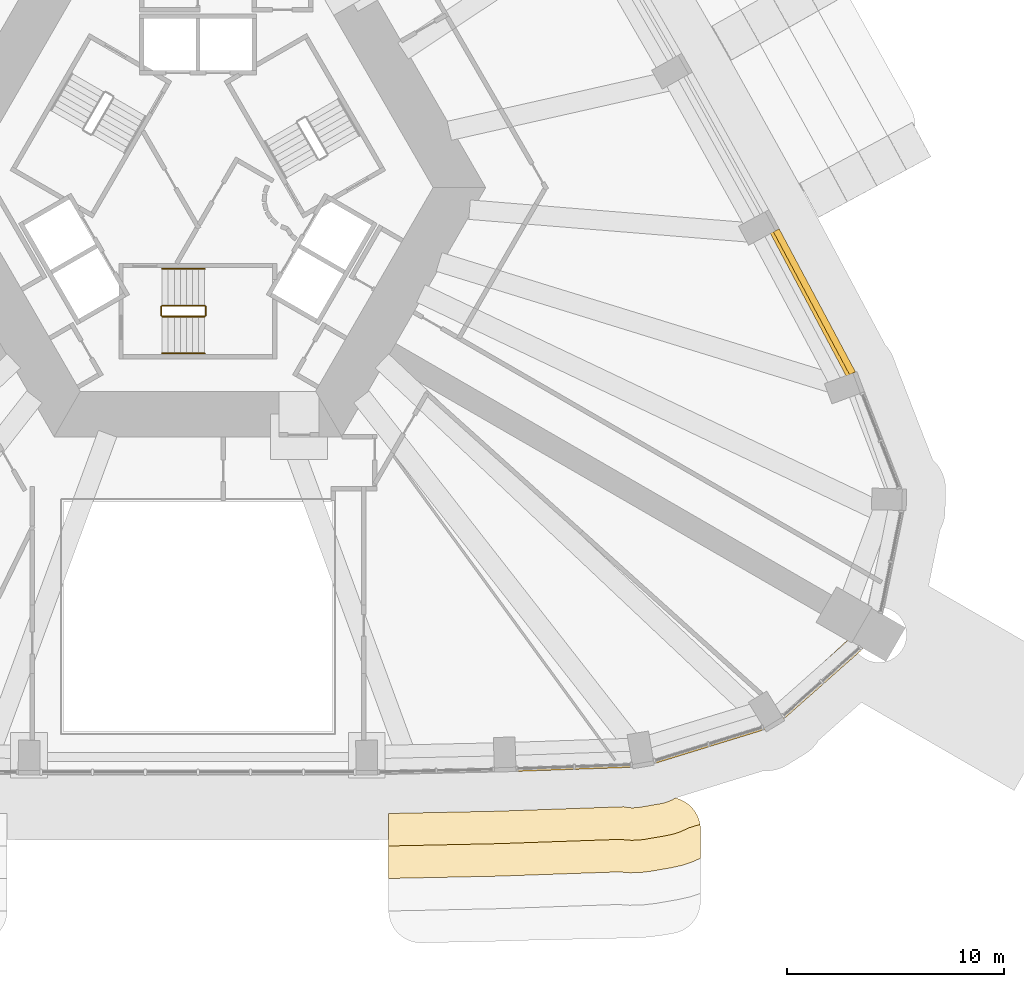
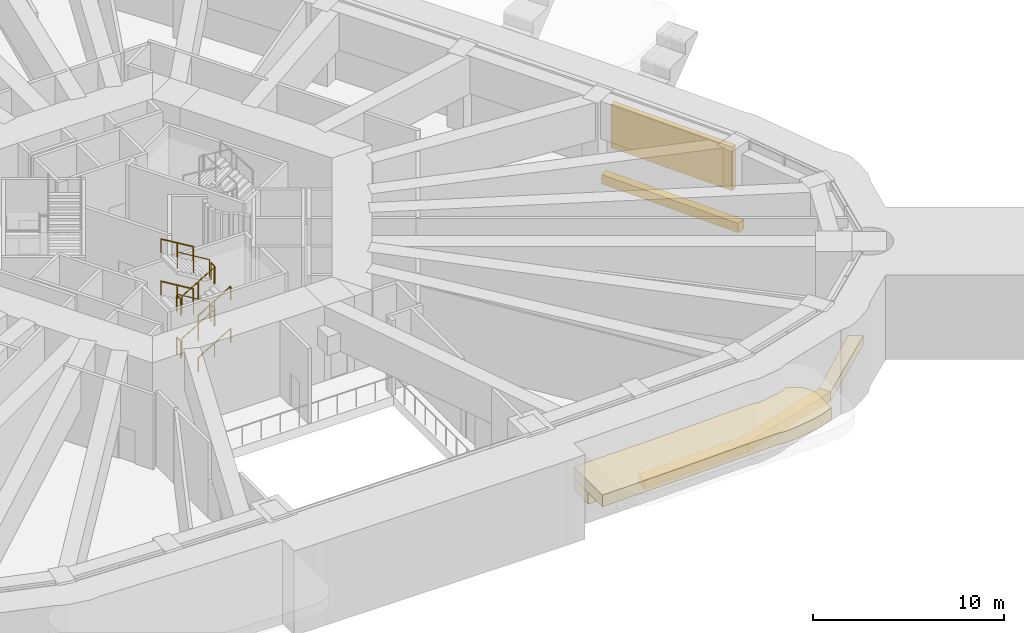
# One storey, part 16 of 21: 12 railings, 6 coverings, 1 shading device.
"""IFC4 building model written with IfcOpenShell, lengths in metres."""

from ifc_helpers import new_model, si_unit, direction, frame, origin, origin_2d, place, context, subcontext, project, spatial, polyline, rectangle, circle, outline, extrude, material, layer, layer_set, type_object, element, save


model = new_model("IFC4")

# Units and contexts
model_context = context("Model", 3, precision=1e-05, world=origin(), true_north=direction((0.0, 1.0)))
body_context = subcontext(model_context, "Body", "Model", "MODEL_VIEW")
ifc_project = project(units=[si_unit("LENGTHUNIT", "METRE"), si_unit("AREAUNIT", "SQUARE_METRE"), si_unit("VOLUMEUNIT", "CUBIC_METRE"), si_unit("PLANEANGLEUNIT", "RADIAN"), si_unit("MASSUNIT", "GRAM", prefix="KILO")], contexts=[model_context])

# Site, building, storey
site_placement = place(None, origin())
site = spatial("IfcSite", under=ifc_project, at=site_placement, CompositionType="ELEMENT")
building_placement = place(site_placement, origin())
building = spatial("IfcBuilding", under=site, at=building_placement, Name="Entoto Arch Interchange Tower", CompositionType="ELEMENT")
storey_placement = place(building_placement, frame((0.0, 0.0, 236.0)))
storey = spatial("IfcBuildingStorey", under=building, at=storey_placement, Name="L53", CompositionType="ELEMENT", Elevation=236.0)

# Shading device
ifc_material_1 = material(Name="Aluminium, anodised", Category="aluminium")
ifc_layer = layer(ifc_material_1, 0.300048828125)
ifc_layer_set = layer_set([ifc_layer], Name="Aluminium, anodised")
shading_device_type = type_object("IfcShadingDeviceType", Name="PLANT LOUVRE ALUMINIUM", PredefinedType="JALOUSIE", material=ifc_layer_set)
shading_device_placement = place(storey_placement, frame((28.449951171875, -2.77197265625, 1.2001953125), z_axis=(0.0, 0.0, 1.0), x_axis=(-0.470519135201, 0.882389791084, 0.0)))
element("IfcShadingDevice", 1, at=shading_device_placement, inside=storey, type_object=shading_device_type, Name="Plant louvre NE-01 L53", PredefinedType="JALOUSIE", context=body_context, shape_type="SweptSolid", body=[
    extrude(rectangle(XDim=7.470947265625, YDim=0.300048828125, at=origin_2d()), origin(), (0.0, 0.0, 1.0), 2.800048828125),
])

# Coverings
ifc_material_2 = material(Name="Board-marked precast concrete C50/60", Category="concrete")
covering_type_1 = type_object("IfcCoveringType", Name="PRECAST FRAME COURSE", PredefinedType="CLADDING", material=ifc_material_2)
covering_1_placement = place(storey_placement, frame((0.0, 0.0, 2.550048828125)))
element("IfcCovering", 2, at=covering_1_placement, inside=storey, type_object=covering_type_1, Name="Cantilever cornice L53 3", PredefinedType="CLADDING", context=body_context, shape_type="SweptSolid", body=[
    extrude(outline(polyline([(22.318115234375, -25.77001953125), (22.444091796875, -25.8359375), (22.56396484375, -25.9130859375), (22.676025390625, -26.0009765625), (22.779052734375, -26.10009765625), (22.8720703125, -26.20703125), (22.9541015625, -26.323974609375), (23.02490234375, -26.447021484375), (23.083984375, -26.576904296875), (23.131103515625, -26.7109375), (23.1640625, -26.85009765625), (23.18505859375, -26.990966796875), (23.19091796875, -27.133056640625), (23.19091796875, -28.455078125), (22.781982421875, -28.635009765625), (22.3349609375, -28.781982421875), (21.875, -28.885009765625), (20.888916015625, -29.053955078125), (20.422119140625, -29.111083984375), (19.950927734375, -29.1220703125), (19.48095703125, -29.0869140625), (19.450927734375, -29.0810546875), (14.860107421875, -29.242919921875), (14.847900390625, -29.243896484375), (13.84912109375, -29.278076171875), (13.787109375, -29.280029296875), (8.800048828125, -29.385009765625), (8.800048828125, -26.422119140625), (8.800048828125, -26.385009765625), (13.722900390625, -26.281005859375), (13.7470703125, -26.280029296875), (14.74609375, -26.24609375), (14.758056640625, -26.2451171875), (19.654052734375, -26.072021484375), (19.678955078125, -26.0791015625), (19.85302734375, -26.110107421875), (20.029052734375, -26.123046875), (20.2060546875, -26.118896484375), (20.381103515625, -26.097900390625), (21.366943359375, -25.927978515625), (21.5390625, -25.889892578125), (21.70703125, -25.8349609375), (21.868896484375, -25.762939453125), (22.02197265625, -25.677001953125), (22.028076171875, -25.673095703125), (22.06298828125, -25.662109375), (22.033935546875, -25.672119140625), (22.049072265625, -25.676025390625), (22.18603515625, -25.717041015625), (22.318115234375, -25.77001953125)])), origin(), (0.0, 0.0, 1.0), 0.75),
])
covering_2_placement = place(storey_placement, frame((0.0, 0.0, 1.800048828125)))
element("IfcCovering", 3, at=covering_2_placement, inside=storey, type_object=covering_type_1, Name="Cantilever cornice L53 4", PredefinedType="CLADDING", context=body_context, shape_type="SweptSolid", body=[
    extrude(outline(polyline([(22.318115234375, -25.77001953125), (22.444091796875, -25.8359375), (22.56396484375, -25.9130859375), (22.676025390625, -26.0009765625), (22.779052734375, -26.10009765625), (22.8720703125, -26.20703125), (22.9541015625, -26.323974609375), (23.02490234375, -26.447021484375), (23.083984375, -26.576904296875), (23.131103515625, -26.7109375), (23.1640625, -26.85009765625), (23.169921875, -26.889892578125), (22.618896484375, -27.06005859375), (22.541015625, -27.10400390625), (22.2451171875, -27.235107421875), (21.93701171875, -27.3359375), (21.62109375, -27.406982421875), (20.635009765625, -27.575927734375), (20.31396484375, -27.614990234375), (19.989990234375, -27.623046875), (19.6669921875, -27.597900390625), (19.5458984375, -27.576904296875), (14.80908203125, -27.743896484375), (14.797119140625, -27.7451171875), (13.798095703125, -27.779052734375), (13.7548828125, -27.780029296875), (8.800048828125, -27.885009765625), (8.800048828125, -26.422119140625), (8.800048828125, -26.385009765625), (13.722900390625, -26.281005859375), (13.7470703125, -26.280029296875), (14.74609375, -26.24609375), (14.758056640625, -26.2451171875), (19.654052734375, -26.072021484375), (19.678955078125, -26.0791015625), (19.85302734375, -26.110107421875), (20.029052734375, -26.123046875), (20.2060546875, -26.118896484375), (20.381103515625, -26.097900390625), (21.366943359375, -25.927978515625), (21.5390625, -25.889892578125), (21.70703125, -25.8349609375), (21.868896484375, -25.762939453125), (22.02197265625, -25.677001953125), (22.028076171875, -25.673095703125), (22.06298828125, -25.662109375), (22.033935546875, -25.672119140625), (22.049072265625, -25.676025390625), (22.18603515625, -25.717041015625), (22.318115234375, -25.77001953125)])), origin(), (0.0, 0.0, 1.0), 0.75),
])
covering_type_2 = type_object("IfcCoveringType", Name="PRECAST LEDGE COURSE", PredefinedType="CLADDING", material=ifc_material_2)
covering_3_placement = place(storey_placement, frame((0.0, 0.0, -1.199951171875)))
element("IfcCovering", 4, at=covering_3_placement, inside=storey, type_object=covering_type_2, Name="Precast course S-05 L53", PredefinedType="CLADDING", context=body_context, shape_type="SweptSolid", body=[
    extrude(outline(polyline([(20.569091796875, -23.594970703125), (20.569091796875, -24.239013671875), (14.18505859375, -24.464111328125), (14.18505859375, -23.830078125), (20.569091796875, -23.594970703125)])), origin(), (0.0, 0.0, 1.0), 0.599853515625),
])
covering_4_placement = place(storey_placement, frame((0.0, 0.0, -1.199951171875)))
element("IfcCovering", 5, at=covering_4_placement, inside=storey, type_object=covering_type_2, Name="Precast course SE-01 L53", PredefinedType="CLADDING", context=body_context, shape_type="SweptSolid", body=[
    extrude(outline(polyline([(26.299072265625, -21.77099609375), (26.658935546875, -22.361083984375), (20.569091796875, -24.239013671875), (20.569091796875, -23.594970703125), (26.299072265625, -21.77099609375)])), origin(), (0.0, 0.0, 1.0), 0.599853515625),
])
covering_5_placement = place(storey_placement, frame((0.0, 0.0, -1.199951171875)))
element("IfcCovering", 6, at=covering_5_placement, inside=storey, type_object=covering_type_2, Name="Precast course SE-02 L53", PredefinedType="CLADDING", context=body_context, shape_type="SweptSolid", body=[
    extrude(outline(polyline([(30.0048828125, -18.362060546875), (30.7119140625, -18.77001953125), (26.658935546875, -22.361083984375), (26.299072265625, -21.77099609375), (30.0048828125, -18.362060546875)])), origin(), (0.0, 0.0, 1.0), 0.599853515625),
])
covering_6_placement = place(storey_placement, frame((0.0, 0.0, -1.199951171875)))
element("IfcCovering", 7, at=covering_6_placement, inside=storey, type_object=covering_type_2, Name="Precast course NE-01 L53", PredefinedType="CLADDING", context=body_context, shape_type="SweptSolid", body=[
    extrude(outline(polyline([(26.18701171875, 0.818115234375), (26.589111328125, 1.034912109375), (30.5859375, -6.4599609375), (30.14306640625, -6.6240234375), (26.18701171875, 0.818115234375)])), origin(), (0.0, 0.0, 1.0), 0.599853515625),
])

# Railings
ifc_material_3 = material(Name="Stainless steel 1.4301", Category="steel")
railing_type_1 = type_object("IfcRailingType", Name="STAIR GUARD 1100 STEEL", PredefinedType="GUARDRAIL", material=ifc_material_3)
railing_1_placement = place(storey_placement, frame((-1.64990234375, -3.449951171875, 0.168701171875)))
element("IfcRailing", 8, at=railing_1_placement, inside=storey, type_object=railing_type_1, Name="L53 ST-S stair guard 1", PredefinedType="GUARDRAIL", context=body_context, shape_type="SweptSolid", body=[
    extrude(circle(Radius=0.02392578125, at=origin_2d()), frame((0.0, 0.0, 1.076171875), z_axis=(0.856446297458, 0.0, 0.516236127728), x_axis=(0.0, 1.0, 0.0)), (0.0, 0.0, 1.0), 2.28857421875),
    extrude(circle(Radius=0.02099609375, at=origin_2d()), origin(), (0.0, 0.0, 1.0), 1.052001953125),
    extrude(circle(Radius=0.02099609375, at=origin_2d()), frame((0.97998046875, 0.0, 0.5908203125)), (0.0, 0.0, 1.0), 1.052001953125),
    extrude(circle(Radius=0.02099609375, at=origin_2d()), frame((1.9599609375, 0.0, 1.181396484375)), (0.0, 0.0, 1.0), 1.052001953125),
])
railing_2_placement = place(storey_placement, frame((0.360107421875, -3.39990234375, 1.35009765625)))
element("IfcRailing", 9, at=railing_2_placement, inside=storey, type_object=railing_type_1, Name="L53 ST-S stair guard 2", PredefinedType="GUARDRAIL", context=body_context, shape_type="SweptSolid", body=[
    extrude(circle(Radius=0.02392578125, at=origin_2d()), frame((0.0, 0.0, 1.076171875), z_axis=(0.0, 1.0, 0.0), x_axis=(-1.0, 0.0, 0.0)), (0.0, 0.0, 1.0), 0.39990234375),
    extrude(circle(Radius=0.02099609375, at=origin_2d()), origin(), (0.0, 0.0, 1.0), 1.052001953125),
    extrude(circle(Radius=0.02099609375, at=origin_2d()), frame((0.0, 0.39990234375, 0.0)), (0.0, 0.0, 1.0), 1.052001953125),
])
railing_3_placement = place(storey_placement, frame((0.31005859375, -2.949951171875, 1.518798828125)))
element("IfcRailing", 10, at=railing_3_placement, inside=storey, type_object=railing_type_1, Name="L53 ST-S stair guard 3", PredefinedType="GUARDRAIL", context=body_context, shape_type="SweptSolid", body=[
    extrude(circle(Radius=0.02392578125, at=origin_2d()), frame((0.0, 0.0, 1.076171875), z_axis=(-0.856493463811, 0.0, 0.516157869696), x_axis=(0.0, -1.0, 0.0)), (0.0, 0.0, 1.0), 2.288330078125),
    extrude(circle(Radius=0.02099609375, at=origin_2d()), origin(), (0.0, 0.0, 1.0), 1.052001953125),
    extrude(circle(Radius=0.02099609375, at=origin_2d()), frame((-0.97998046875, 0.0, 0.590576171875)), (0.0, 0.0, 1.0), 1.052001953125),
    extrude(circle(Radius=0.02099609375, at=origin_2d()), frame((-1.9599609375, 0.0, 1.18115234375)), (0.0, 0.0, 1.0), 1.052001953125),
])
railing_4_placement = place(storey_placement, frame((-1.699951171875, -3.39990234375, 2.699951171875)))
element("IfcRailing", 11, at=railing_4_placement, inside=storey, type_object=railing_type_1, Name="L53 ST-S stair guard 4", PredefinedType="GUARDRAIL", context=body_context, shape_type="SweptSolid", body=[
    extrude(circle(Radius=0.02392578125, at=origin_2d()), frame((0.0, 0.0, 1.076171875), z_axis=(0.0, 1.0, 0.0), x_axis=(-1.0, 0.0, 0.0)), (0.0, 0.0, 1.0), 0.39990234375),
    extrude(circle(Radius=0.02099609375, at=origin_2d()), origin(), (0.0, 0.0, 1.0), 1.052001953125),
    extrude(circle(Radius=0.02099609375, at=origin_2d()), frame((0.0, 0.39990234375, 0.0)), (0.0, 0.0, 1.0), 1.052001953125),
])
railing_5_placement = place(storey_placement, frame((-1.64990234375, -3.449951171875, 2.86865234375)))
element("IfcRailing", 12, at=railing_5_placement, inside=storey, type_object=railing_type_1, Name="L53 ST-S stair guard 5", PredefinedType="GUARDRAIL", context=body_context, shape_type="SweptSolid", body=[
    extrude(circle(Radius=0.02392578125, at=origin_2d()), frame((0.0, 0.0, 1.076171875), z_axis=(0.856446297458, 0.0, 0.516236127728), x_axis=(0.0, 1.0, 0.0)), (0.0, 0.0, 1.0), 2.28857421875),
    extrude(circle(Radius=0.02099609375, at=origin_2d()), origin(), (0.0, 0.0, 1.0), 1.052001953125),
    extrude(circle(Radius=0.02099609375, at=origin_2d()), frame((0.97998046875, 0.0, 0.5908203125)), (0.0, 0.0, 1.0), 1.052001953125),
    extrude(circle(Radius=0.02099609375, at=origin_2d()), frame((1.9599609375, 0.0, 1.181396484375)), (0.0, 0.0, 1.0), 1.052001953125),
])
railing_6_placement = place(storey_placement, frame((0.360107421875, -3.39990234375, 4.050048828125)))
element("IfcRailing", 13, at=railing_6_placement, inside=storey, type_object=railing_type_1, Name="L53 ST-S stair guard 6", PredefinedType="GUARDRAIL", context=body_context, shape_type="SweptSolid", body=[
    extrude(circle(Radius=0.02392578125, at=origin_2d()), frame((0.0, 0.0, 1.076171875), z_axis=(0.0, 1.0, 0.0), x_axis=(-1.0, 0.0, 0.0)), (0.0, 0.0, 1.0), 0.39990234375),
    extrude(circle(Radius=0.02099609375, at=origin_2d()), origin(), (0.0, 0.0, 1.0), 1.052001953125),
    extrude(circle(Radius=0.02099609375, at=origin_2d()), frame((0.0, 0.39990234375, 0.0)), (0.0, 0.0, 1.0), 1.052001953125),
])
railing_7_placement = place(storey_placement, frame((0.31005859375, -2.949951171875, 4.21875)))
element("IfcRailing", 14, at=railing_7_placement, inside=storey, type_object=railing_type_1, Name="L53 ST-S stair guard 7", PredefinedType="GUARDRAIL", context=body_context, shape_type="SweptSolid", body=[
    extrude(circle(Radius=0.02392578125, at=origin_2d()), frame((0.0, 0.0, 1.076171875), z_axis=(-0.856493463811, 0.0, 0.516157869696), x_axis=(0.0, -1.0, 0.0)), (0.0, 0.0, 1.0), 2.288330078125),
    extrude(circle(Radius=0.02099609375, at=origin_2d()), origin(), (0.0, 0.0, 1.0), 1.052001953125),
    extrude(circle(Radius=0.02099609375, at=origin_2d()), frame((-0.97998046875, 0.0, 0.590576171875)), (0.0, 0.0, 1.0), 1.052001953125),
    extrude(circle(Radius=0.02099609375, at=origin_2d()), frame((-1.9599609375, 0.0, 1.18115234375)), (0.0, 0.0, 1.0), 1.052001953125),
])
railing_8_placement = place(storey_placement, frame((-1.699951171875, -3.39990234375, 0.0)))
element("IfcRailing", 15, at=railing_8_placement, inside=storey, type_object=railing_type_1, Name="L53 ST-S stair guard 8", PredefinedType="GUARDRAIL", context=body_context, shape_type="SweptSolid", body=[
    extrude(circle(Radius=0.02392578125, at=origin_2d()), frame((0.0, 0.0, 1.076171875), z_axis=(0.0, 1.0, 0.0), x_axis=(-1.0, 0.0, 0.0)), (0.0, 0.0, 1.0), 0.39990234375),
    extrude(circle(Radius=0.02099609375, at=origin_2d()), origin(), (0.0, 0.0, 1.0), 1.052001953125),
    extrude(circle(Radius=0.02099609375, at=origin_2d()), frame((0.0, 0.39990234375, 0.0)), (0.0, 0.0, 1.0), 1.052001953125),
])
railing_type_2 = type_object("IfcRailingType", Name="STAIR HANDRAIL 900 STEEL", PredefinedType="HANDRAIL", material=ifc_material_3)
railing_9_placement = place(storey_placement, frame((-1.64990234375, -5.14990234375, 0.168701171875)))
element("IfcRailing", 16, at=railing_9_placement, inside=storey, type_object=railing_type_2, Name="L53 ST-S stair handrail 1", PredefinedType="HANDRAIL", context=body_context, shape_type="SweptSolid", body=[
    extrude(circle(Radius=0.02392578125, at=origin_2d()), frame((0.0, 0.0, 0.8759765625), z_axis=(0.856446297458, 0.0, 0.516236127728), x_axis=(0.0, 1.0, 0.0)), (0.0, 0.0, 1.0), 2.28857421875),
    extrude(circle(Radius=0.02099609375, at=origin_2d()), origin(), (0.0, 0.0, 1.0), 0.851806640625),
    extrude(circle(Radius=0.02099609375, at=origin_2d()), frame((0.97998046875, 0.0, 0.5908203125)), (0.0, 0.0, 1.0), 0.851806640625),
    extrude(circle(Radius=0.02099609375, at=origin_2d()), frame((1.9599609375, 0.0, 1.181396484375)), (0.0, 0.0, 1.0), 0.851806640625),
])
railing_10_placement = place(storey_placement, frame((0.31005859375, -1.25, 1.518798828125)))
element("IfcRailing", 17, at=railing_10_placement, inside=storey, type_object=railing_type_2, Name="L53 ST-S stair handrail 2", PredefinedType="HANDRAIL", context=body_context, shape_type="SweptSolid", body=[
    extrude(circle(Radius=0.02392578125, at=origin_2d()), frame((0.0, 0.0, 0.8759765625), z_axis=(-0.856493463811, 0.0, 0.516157869696), x_axis=(0.0, -1.0, 0.0)), (0.0, 0.0, 1.0), 2.288330078125),
    extrude(circle(Radius=0.02099609375, at=origin_2d()), origin(), (0.0, 0.0, 1.0), 0.851806640625),
    extrude(circle(Radius=0.02099609375, at=origin_2d()), frame((-0.97998046875, 0.0, 0.590576171875)), (0.0, 0.0, 1.0), 0.851806640625),
    extrude(circle(Radius=0.02099609375, at=origin_2d()), frame((-1.9599609375, 0.0, 1.18115234375)), (0.0, 0.0, 1.0), 0.851806640625),
])
railing_11_placement = place(storey_placement, frame((-1.64990234375, -5.14990234375, 2.86865234375)))
element("IfcRailing", 18, at=railing_11_placement, inside=storey, type_object=railing_type_2, Name="L53 ST-S stair handrail 3", PredefinedType="HANDRAIL", context=body_context, shape_type="SweptSolid", body=[
    extrude(circle(Radius=0.02392578125, at=origin_2d()), frame((0.0, 0.0, 0.8759765625), z_axis=(0.856446297458, 0.0, 0.516236127728), x_axis=(0.0, 1.0, 0.0)), (0.0, 0.0, 1.0), 2.28857421875),
    extrude(circle(Radius=0.02099609375, at=origin_2d()), origin(), (0.0, 0.0, 1.0), 0.851806640625),
    extrude(circle(Radius=0.02099609375, at=origin_2d()), frame((0.97998046875, 0.0, 0.5908203125)), (0.0, 0.0, 1.0), 0.851806640625),
    extrude(circle(Radius=0.02099609375, at=origin_2d()), frame((1.9599609375, 0.0, 1.181396484375)), (0.0, 0.0, 1.0), 0.851806640625),
])
railing_12_placement = place(storey_placement, frame((0.31005859375, -1.25, 4.21875)))
element("IfcRailing", 19, at=railing_12_placement, inside=storey, type_object=railing_type_2, Name="L53 ST-S stair handrail 4", PredefinedType="HANDRAIL", context=body_context, shape_type="SweptSolid", body=[
    extrude(circle(Radius=0.02392578125, at=origin_2d()), frame((0.0, 0.0, 0.8759765625), z_axis=(-0.856493463811, 0.0, 0.516157869696), x_axis=(0.0, -1.0, 0.0)), (0.0, 0.0, 1.0), 2.288330078125),
    extrude(circle(Radius=0.02099609375, at=origin_2d()), origin(), (0.0, 0.0, 1.0), 0.851806640625),
    extrude(circle(Radius=0.02099609375, at=origin_2d()), frame((-0.97998046875, 0.0, 0.590576171875)), (0.0, 0.0, 1.0), 0.851806640625),
    extrude(circle(Radius=0.02099609375, at=origin_2d()), frame((-1.9599609375, 0.0, 1.18115234375)), (0.0, 0.0, 1.0), 0.851806640625),
])

save(model, "model.ifc")
